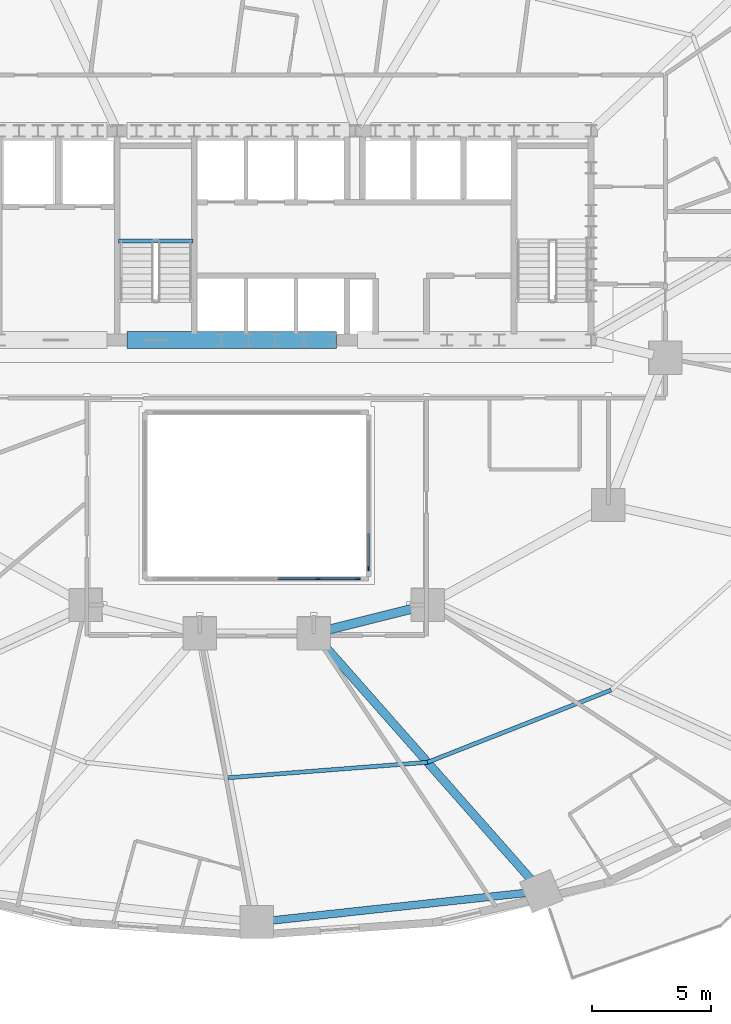
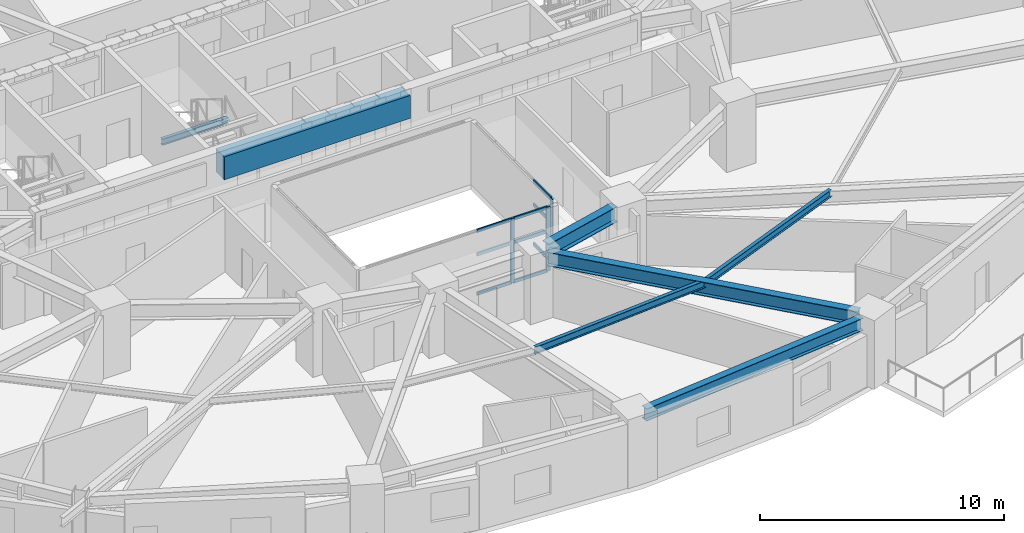
# One storey, part 5 of 17: 12 members, 7 beams, 2 elements without a shape of their own.
"""IFC4 building model written with IfcOpenShell, lengths in metres."""

from ifc_helpers import new_model, si_unit, direction, frame, origin, origin_2d, place, context, subcontext, project, spatial, rectangle, i_section, extrude, material, material_profile, profile_set, type_object, element, aggregate, save


model = new_model("IFC4")

# Units and contexts
model_context = context("Model", 3, precision=1e-05, world=origin(), true_north=direction((0.0, 1.0)))
body_context = subcontext(model_context, "Body", "Model", "MODEL_VIEW")
ifc_project = project(units=[si_unit("LENGTHUNIT", "METRE"), si_unit("AREAUNIT", "SQUARE_METRE"), si_unit("VOLUMEUNIT", "CUBIC_METRE"), si_unit("PLANEANGLEUNIT", "RADIAN"), si_unit("MASSUNIT", "GRAM", prefix="KILO")], contexts=[model_context])

# Site, building, storey
site_placement = place(None, origin())
site = spatial("IfcSite", under=ifc_project, at=site_placement, CompositionType="ELEMENT")
building_placement = place(site_placement, origin())
building = spatial("IfcBuilding", under=site, at=building_placement, Name="Haldorwick Loom Tower", CompositionType="ELEMENT")
storey_placement = place(building_placement, frame((0.0, 0.0, 55.050048828125)))
storey = spatial("IfcBuildingStorey", under=building, at=storey_placement, Name="L14", CompositionType="ELEMENT", Elevation=55.050048828125)

# Curtain wall, members
ifc_material_1 = material(Name="Thermally Broken Anodized Aluminium Curtain Wall Framing", Category="aluminium")
curtain_wall_type = type_object("IfcCurtainWallType", Name="ARC-CW-03", PredefinedType="NOTDEFINED", material=ifc_material_1)
curtain_wall_1_placement = place(storey_placement, origin())
curtain_wall_1 = element("IfcCurtainWall", 1, at=curtain_wall_1_placement, inside=storey, type_object=curtain_wall_type, Name="L14 Atrium Glazed Screen S", PredefinedType="NOTDEFINED")
ifc_material_profile_1 = material_profile(ifc_material_1, rectangle(XDim=0.06591796875, YDim=0.18505859375, at=origin_2d()), Name="ALU_MUL_66X185", Category="aluminium")
ifc_profile_set_1 = profile_set([ifc_material_profile_1], Name="Thermally Broken Anodized Aluminium Curtain Wall Framing")
member_type_1 = type_object("IfcMemberType", Name="ARC-CWM-03", PredefinedType="MULLION", material=ifc_profile_set_1)
member_1_placement = place(storey_placement, frame((40.26708984375, 16.699951171875, 0.0), z_axis=(0.0, 0.0, 1.0), x_axis=(0.0, -1.0, 0.0)))
member_1 = element("IfcMember", 2, at=member_1_placement, type_object=member_type_1, Name="CW-03 mullion 1", PredefinedType="MULLION", context=body_context, shape_type="SweptSolid", body=[
    extrude(rectangle(XDim=0.06591796875, YDim=0.18505859375, at=origin_2d()), origin(), (0.0, 0.0, 1.0), 3.2099609375),
])
member_2_placement = place(storey_placement, frame((38.580078125, 16.699951171875, 0.0), z_axis=(0.0, 0.0, 1.0), x_axis=(0.0, -1.0, 0.0)))
member_2 = element("IfcMember", 3, at=member_2_placement, type_object=member_type_1, Name="CW-03 mullion 2", PredefinedType="MULLION", context=body_context, shape_type="SweptSolid", body=[
    extrude(rectangle(XDim=0.06591796875, YDim=0.18505859375, at=origin_2d()), origin(), (0.0, 0.0, 1.0), 3.2099609375),
])

# Curtain wall, member
curtain_wall_2_placement = place(storey_placement, origin())
curtain_wall_2 = element("IfcCurtainWall", 4, at=curtain_wall_2_placement, inside=storey, type_object=curtain_wall_type, Name="L14 Atrium Glazed Screen E", PredefinedType="NOTDEFINED")
member_3_placement = place(storey_placement, frame((40.699951171875, 17.133056640625, 0.0), z_axis=(0.0, 0.0, 1.0), x_axis=(1.0, 0.0, 0.0)))
member_3 = element("IfcMember", 5, at=member_3_placement, type_object=member_type_1, Name="CW-03 mullion 5", PredefinedType="MULLION", context=body_context, shape_type="SweptSolid", body=[
    extrude(rectangle(XDim=0.06591796875, YDim=0.18505859375, at=origin_2d()), origin(), (0.0, 0.0, 1.0), 3.2099609375),
])

# Member
ifc_material_profile_2 = material_profile(ifc_material_1, rectangle(XDim=0.06591796875, YDim=0.1650390625, at=origin_2d()), Name="ALU_TRN_66X165", Category="aluminium")
ifc_profile_set_2 = profile_set([ifc_material_profile_2], Name="Thermally Broken Anodized Aluminium Curtain Wall Framing")
member_type_2 = type_object("IfcMemberType", Name="ARC-CWT-03", PredefinedType="USERDEFINED", material=ifc_profile_set_2)
member_4_placement = place(storey_placement, frame((40.23388671875, 16.699951171875, 0.032958984375), z_axis=(-1.0, 0.0, 0.0), x_axis=(0.0, -1.0, 0.0)))
member_4 = element("IfcMember", 6, at=member_4_placement, type_object=member_type_2, Name="CW-03 transom 1.1", ObjectType="TRANSOM", PredefinedType="USERDEFINED", context=body_context, shape_type="SweptSolid", body=[
    extrude(rectangle(XDim=0.06591796875, YDim=0.1650390625, at=origin_2d()), origin(), (0.0, 0.0, 1.0), 1.620849609375),
])

member_5_placement = place(storey_placement, frame((40.23388671875, 16.699951171875, 2.0), z_axis=(-1.0, 0.0, 0.0), x_axis=(0.0, -1.0, 0.0)))
member_5 = element("IfcMember", 7, at=member_5_placement, type_object=member_type_2, Name="CW-03 transom 1.2", ObjectType="TRANSOM", PredefinedType="USERDEFINED", context=body_context, shape_type="SweptSolid", body=[
    extrude(rectangle(XDim=0.06591796875, YDim=0.1650390625, at=origin_2d()), origin(), (0.0, 0.0, 1.0), 1.620849609375),
])

member_6_placement = place(storey_placement, frame((40.23388671875, 16.699951171875, 3.177001953125), z_axis=(-1.0, 0.0, 0.0), x_axis=(0.0, -1.0, 0.0)))
member_6 = element("IfcMember", 8, at=member_6_placement, type_object=member_type_2, Name="CW-03 transom 1.3", ObjectType="TRANSOM", PredefinedType="USERDEFINED", context=body_context, shape_type="SweptSolid", body=[
    extrude(rectangle(XDim=0.06591796875, YDim=0.1650390625, at=origin_2d()), origin(), (0.0, 0.0, 1.0), 1.620849609375),
])

member_7_placement = place(storey_placement, frame((38.547119140625, 16.699951171875, 0.032958984375), z_axis=(-1.0, 0.0, 0.0), x_axis=(0.0, -1.0, 0.0)))
member_7 = element("IfcMember", 9, at=member_7_placement, type_object=member_type_2, Name="CW-03 transom 2.1", ObjectType="TRANSOM", PredefinedType="USERDEFINED", context=body_context, shape_type="SweptSolid", body=[
    extrude(rectangle(XDim=0.06591796875, YDim=0.1650390625, at=origin_2d()), origin(), (0.0, 0.0, 1.0), 1.654052734375),
])

member_8_placement = place(storey_placement, frame((38.547119140625, 16.699951171875, 2.0), z_axis=(-1.0, 0.0, 0.0), x_axis=(0.0, -1.0, 0.0)))
member_8 = element("IfcMember", 10, at=member_8_placement, type_object=member_type_2, Name="CW-03 transom 2.2", ObjectType="TRANSOM", PredefinedType="USERDEFINED", context=body_context, shape_type="SweptSolid", body=[
    extrude(rectangle(XDim=0.06591796875, YDim=0.1650390625, at=origin_2d()), origin(), (0.0, 0.0, 1.0), 1.654052734375),
])

member_9_placement = place(storey_placement, frame((38.547119140625, 16.699951171875, 3.177001953125), z_axis=(-1.0, 0.0, 0.0), x_axis=(0.0, -1.0, 0.0)))
member_9 = element("IfcMember", 11, at=member_9_placement, type_object=member_type_2, Name="CW-03 transom 2.3", ObjectType="TRANSOM", PredefinedType="USERDEFINED", context=body_context, shape_type="SweptSolid", body=[
    extrude(rectangle(XDim=0.06591796875, YDim=0.1650390625, at=origin_2d()), origin(), (0.0, 0.0, 1.0), 1.654052734375),
])

aggregate(curtain_wall_1, [member_1, member_2, member_4, member_5, member_6, member_7, member_8, member_9])

member_10_placement = place(storey_placement, frame((40.699951171875, 18.616943359375, 0.032958984375), z_axis=(0.0, -1.0, 0.0), x_axis=(1.0, 0.0, 0.0)))
member_10 = element("IfcMember", 12, at=member_10_placement, type_object=member_type_2, Name="CW-03 transom 4.1", ObjectType="TRANSOM", PredefinedType="USERDEFINED", context=body_context, shape_type="SweptSolid", body=[
    extrude(rectangle(XDim=0.06591796875, YDim=0.1650390625, at=origin_2d()), origin(), (0.0, 0.0, 1.0), 1.450927734375),
])

member_11_placement = place(storey_placement, frame((40.699951171875, 18.616943359375, 2.0), z_axis=(0.0, -1.0, 0.0), x_axis=(1.0, 0.0, 0.0)))
member_11 = element("IfcMember", 13, at=member_11_placement, type_object=member_type_2, Name="CW-03 transom 4.2", ObjectType="TRANSOM", PredefinedType="USERDEFINED", context=body_context, shape_type="SweptSolid", body=[
    extrude(rectangle(XDim=0.06591796875, YDim=0.1650390625, at=origin_2d()), origin(), (0.0, 0.0, 1.0), 1.450927734375),
])

member_12_placement = place(storey_placement, frame((40.699951171875, 18.616943359375, 3.177001953125), z_axis=(0.0, -1.0, 0.0), x_axis=(1.0, 0.0, 0.0)))
member_12 = element("IfcMember", 14, at=member_12_placement, type_object=member_type_2, Name="CW-03 transom 4.3", ObjectType="TRANSOM", PredefinedType="USERDEFINED", context=body_context, shape_type="SweptSolid", body=[
    extrude(rectangle(XDim=0.06591796875, YDim=0.1650390625, at=origin_2d()), origin(), (0.0, 0.0, 1.0), 1.450927734375),
])

aggregate(curtain_wall_2, [member_3, member_10, member_11, member_12])

# Beams
ifc_material_2 = material(Name="Concrete C60 (60 MPa)", Category="concrete")
ifc_material_profile_3 = material_profile(ifc_material_2, rectangle(XDim=0.699951171875, YDim=1.14990234375, at=origin_2d()), Name="RC700X1150", Category="concrete")
ifc_profile_set_3 = profile_set([ifc_material_profile_3], Name="Concrete C60 (60 MPa)")
beam_type_1 = type_object("IfcBeamType", Name="STR-BM-CB1150", PredefinedType="LINTEL", material=ifc_profile_set_3)
beam_1_placement = place(storey_placement, frame((30.550048828125, 26.75, 2.635009765625), z_axis=(1.0, 0.0, 0.0), x_axis=(0.0, 1.0, 0.0)))
element("IfcBeam", 15, at=beam_1_placement, inside=storey, type_object=beam_type_1, Name="L14 Core Coupling Beam CB-S2", PredefinedType="LINTEL", context=body_context, shape_type="SweptSolid", body=[
    extrude(rectangle(XDim=0.699951171875, YDim=1.14990234375, at=origin_2d()), origin(), (0.0, 0.0, 1.0), 8.800048828125),
])
ifc_material_3 = material(Name="Steel CSA G40.21 350W", Category="steel")
ifc_material_profile_4 = material_profile(ifc_material_3, i_section(OverallWidth=0.172119140625, OverallDepth=0.35791015625, WebThickness=0.0078125, FlangeThickness=0.01318359375, at=origin_2d()), Name="W360X57", Category="steel")
ifc_profile_set_4 = profile_set([ifc_material_profile_4], Name="Steel CSA G40.21 350W")
beam_type_2 = type_object("IfcBeamType", Name="STR-BM-J360", PredefinedType="JOIST", material=ifc_profile_set_4)
beam_2_placement = place(storey_placement, frame((34.800048828125, 8.324951171875, 3.031005859375), z_axis=(0.99701252039, 0.077240107368, 0.0), x_axis=(-0.077240107368, 0.99701252039, 0.0)))
element("IfcBeam", 16, at=beam_2_placement, inside=storey, type_object=beam_type_2, Name="L14 Mid-Bay Secondary Joist 13", PredefinedType="JOIST", context=body_context, shape_type="SweptSolid", body=[
    extrude(i_section(OverallWidth=0.172119140625, OverallDepth=0.35791015625, WebThickness=0.0078125, FlangeThickness=0.01318359375, at=origin_2d()), origin(), (0.0, 0.0, 1.0), 8.4140625),
])
beam_3_placement = place(storey_placement, frame((43.18896484375, 8.974853515625, 3.031005859375), z_axis=(0.930584838237, 0.366076301941, 0.0), x_axis=(-0.366076301941, 0.930584838237, 0.0)))
element("IfcBeam", 17, at=beam_3_placement, inside=storey, type_object=beam_type_2, Name="L14 Mid-Bay Secondary Joist 14", PredefinedType="JOIST", context=body_context, shape_type="SweptSolid", body=[
    extrude(i_section(OverallWidth=0.172119140625, OverallDepth=0.35791015625, WebThickness=0.0078125, FlangeThickness=0.01318359375, at=origin_2d()), origin(), (0.0, 0.0, 1.0), 8.302490234375),
])
ifc_material_profile_5 = material_profile(ifc_material_3, i_section(OverallWidth=0.324951171875, OverallDepth=0.615966796875, WebThickness=0.013916015625, FlangeThickness=0.021484375, at=origin_2d()), Name="W610X174", Category="steel")
ifc_profile_set_5 = profile_set([ifc_material_profile_5], Name="Steel CSA G40.21 350W")
beam_type_3 = type_object("IfcBeamType", Name="STR-BM-SP610", PredefinedType="SPANDREL", material=ifc_profile_set_5)
beam_4_placement = place(storey_placement, frame((36.51708984375, 2.30615234375, 2.90185546875), z_axis=(0.994164438636, 0.107875247167, 0.0), x_axis=(-0.107875247167, 0.994164438636, 0.0)))
element("IfcBeam", 18, at=beam_4_placement, inside=storey, type_object=beam_type_3, Name="L14 Perimeter Spandrel 13", PredefinedType="SPANDREL", context=body_context, shape_type="SweptSolid", body=[
    extrude(i_section(OverallWidth=0.324951171875, OverallDepth=0.615966796875, WebThickness=0.013916015625, FlangeThickness=0.021484375, at=origin_2d()), origin(), (0.0, 0.0, 1.0), 11.008056640625),
])
ifc_material_profile_6 = material_profile(ifc_material_3, i_section(OverallWidth=0.166015625, OverallDepth=0.31298828125, WebThickness=0.006591796875, FlangeThickness=0.01123046875, at=origin_2d()), Name="W310X45", Category="steel")
ifc_profile_set_6 = profile_set([ifc_material_profile_6], Name="Steel CSA G40.21 350W")
beam_type_4 = type_object("IfcBeamType", Name="STR-BM-STRM", PredefinedType="BEAM", material=ifc_profile_set_6)
beam_5_placement = place(storey_placement, frame((30.18994140625, 30.919921875, 1.368408203125), z_axis=(1.0, 0.0, 0.0), x_axis=(0.0, 1.0, 0.0)))
element("IfcBeam", 19, at=beam_5_placement, inside=storey, type_object=beam_type_4, Name="L14 Stair ST-03 Half-Landing Trimmer 1", PredefinedType="BEAM", context=body_context, shape_type="SweptSolid", body=[
    extrude(i_section(OverallWidth=0.166015625, OverallDepth=0.31298828125, WebThickness=0.006591796875, FlangeThickness=0.01123046875, at=origin_2d()), origin(), (0.0, 0.0, 1.0), 3.1201171875),
])
ifc_material_profile_7 = material_profile(ifc_material_3, i_section(OverallWidth=0.35498046875, OverallDepth=0.695068359375, WebThickness=0.015380859375, FlangeThickness=0.02490234375, at=origin_2d()), Name="W690X217", Category="steel")
ifc_profile_set_7 = profile_set([ifc_material_profile_7], Name="Steel CSA G40.21 350W")
beam_type_5 = type_object("IfcBeamType", Name="STR-BM-W690", PredefinedType="BEAM", material=ifc_profile_set_7)
beam_6_placement = place(storey_placement, frame((38.744140625, 14.01025390625, 2.862548828125), z_axis=(0.661774304332, -0.749703121326, 0.0), x_axis=(0.749703121326, 0.661774304332, 0.0)))
element("IfcBeam", 20, at=beam_6_placement, inside=storey, type_object=beam_type_5, Name="L14 Radial Floor Girder 14", PredefinedType="BEAM", context=body_context, shape_type="SweptSolid", body=[
    extrude(i_section(OverallWidth=0.35498046875, OverallDepth=0.695068359375, WebThickness=0.015380859375, FlangeThickness=0.02490234375, at=origin_2d()), origin(), (0.0, 0.0, 1.0), 13.43310546875),
])
ifc_material_profile_8 = material_profile(ifc_material_3, i_section(OverallWidth=0.381103515625, OverallDepth=0.77294921875, WebThickness=0.0166015625, FlangeThickness=0.027587890625, at=origin_2d()), Name="W760X257", Category="steel")
ifc_profile_set_8 = profile_set([ifc_material_profile_8], Name="Steel CSA G40.21 350W")
beam_type_6 = type_object("IfcBeamType", Name="STR-BM-W760", PredefinedType="BEAM", material=ifc_profile_set_8)
beam_7_placement = place(storey_placement, frame((42.695556640625, 15.473876953125, 2.823486328125), z_axis=(-0.970142500145, -0.242535625036, 0.0), x_axis=(0.242535625036, -0.970142500145, 0.0)))
element("IfcBeam", 21, at=beam_7_placement, inside=storey, type_object=beam_type_6, Name="L14 Inner Ring Girder 4", PredefinedType="BEAM", context=body_context, shape_type="SweptSolid", body=[
    extrude(i_section(OverallWidth=0.381103515625, OverallDepth=0.77294921875, WebThickness=0.0166015625, FlangeThickness=0.027587890625, at=origin_2d()), origin(), (0.0, 0.0, 1.0), 3.90771484375),
])

save(model, "model.ifc")
